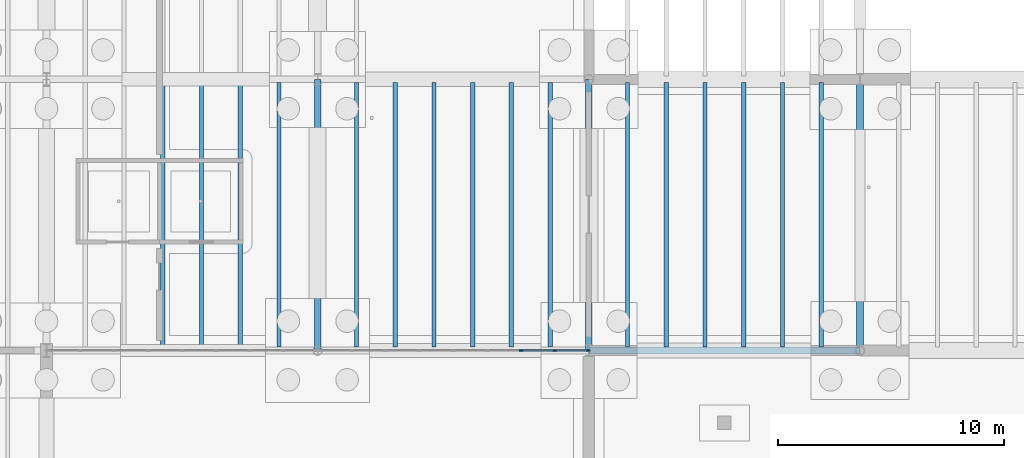
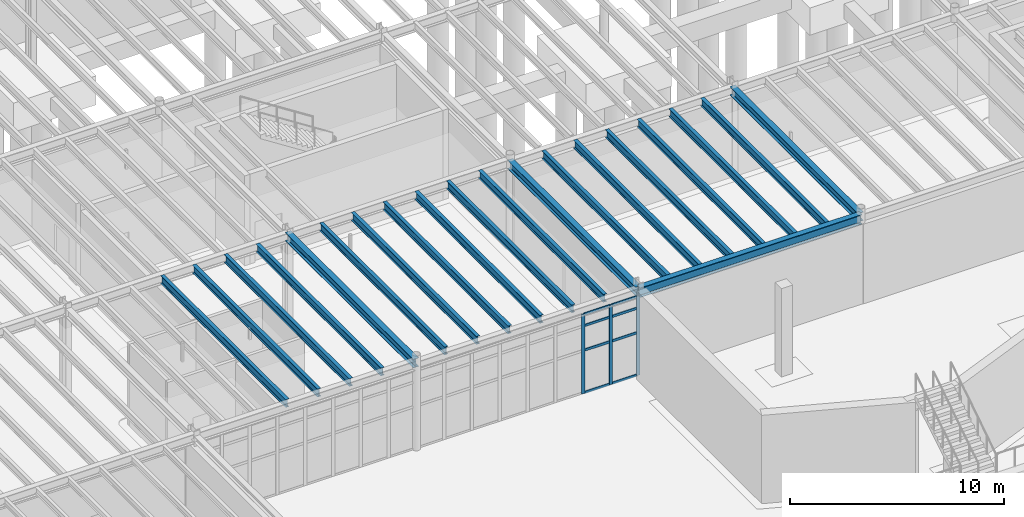
# One storey, part 25 of 67: 20 beams, 11 members, 1 element without a shape of its own.
"""IFC4 building model written with IfcOpenShell, lengths in metres."""

from ifc_helpers import new_model, si_unit, direction, frame, origin, origin_2d, place, context, subcontext, project, spatial, rectangle, i_section, extrude, material, layer, layer_set, material_profile, profile_set, type_object, element, aggregate, save


model = new_model("IFC4")

# Units and contexts
model_context = context("Model", 3, precision=1e-05, world=origin(), true_north=direction((0.0, 1.0)))
body_context = subcontext(model_context, "Body", "Model", "MODEL_VIEW")
ifc_project = project(units=[si_unit("LENGTHUNIT", "METRE"), si_unit("AREAUNIT", "SQUARE_METRE"), si_unit("VOLUMEUNIT", "CUBIC_METRE"), si_unit("PLANEANGLEUNIT", "RADIAN"), si_unit("MASSUNIT", "GRAM", prefix="KILO")], contexts=[model_context])

# Site, building, storey
site_placement = place(None, origin())
site = spatial("IfcSite", under=ifc_project, at=site_placement, CompositionType="ELEMENT")
building_placement = place(site_placement, origin())
building = spatial("IfcBuilding", under=site, at=building_placement, Name="Zlatogorsky Bluff Art Gallery", CompositionType="ELEMENT")
storey_placement = place(building_placement, frame((0.0, 0.0, -5.39990234375)))
storey = spatial("IfcBuildingStorey", under=building, at=storey_placement, Name="B1", CompositionType="ELEMENT", Elevation=-5.39990234375)

# Beams
ifc_material_1 = material(Name="Steel S355", Category="steel")
ifc_material_profile_1 = material_profile(ifc_material_1, i_section(OverallWidth=0.300048828125, OverallDepth=0.550048828125, WebThickness=0.014892578125, FlangeThickness=0.029052734375, FilletRadius=0.027099609375, at=origin_2d()), Name="HEB 550")
ifc_profile_set_1 = profile_set([ifc_material_profile_1], Name="Steel S355")
beam_type_1 = type_object("IfcBeamType", Name="Beam BM-01 HEB 550", PredefinedType="BEAM", material=ifc_profile_set_1)
beam_placement = place(storey_placement, frame((48.014892578125, 84.0, 4.764892578125), z_axis=(1.0, 0.0, 0.0), x_axis=(0.0, 1.0, 0.0)))
element("IfcBeam", 1, at=beam_placement, inside=storey, type_object=beam_type_1, Name="Primary girder BM-01 B1 E-F/9", PredefinedType="BEAM", context=body_context, shape_type="SweptSolid", body=[
    extrude(i_section(OverallWidth=0.300048828125, OverallDepth=0.550048828125, WebThickness=0.014892578125, FlangeThickness=0.029052734375, FilletRadius=0.027099609375, at=origin_2d()), origin(), (0.0, 0.0, 1.0), 11.97021484375),
])
ifc_material_profile_2 = material_profile(ifc_material_1, i_section(OverallWidth=0.300048828125, OverallDepth=0.489990234375, WebThickness=0.011962890625, FlangeThickness=0.02294921875, FilletRadius=0.027099609375, at=origin_2d()), Name="HEA 500")
ifc_profile_set_2 = profile_set([ifc_material_profile_2], Name="Steel S355")
beam_type_2 = type_object("IfcBeamType", Name="Beam BM-07 HEA 500", PredefinedType="BEAM", material=ifc_profile_set_2)
for number, where, z_axis, x_axis, name in (
    (2, (36.0, 84.014892578125, 4.875), (0.0, 1.0, 0.0), (-1.0, 0.0, 0.0), "Primary girder BM-07 B1 D/9-10"),
    (3, (48.0, 84.014892578125, 4.794921875), (0.0, 1.0, 0.0), (-1.0, 0.0, 0.0), "Primary girder BM-07 B1 E/9-10"),
    (4, (60.0, 84.014892578125, 4.794921875), (0.0, 1.0, 0.0), (-1.0, 0.0, 0.0), "Primary girder BM-07 B1 F/9-10"),
):
    element("IfcBeam", number, at=place(storey_placement, frame(where, z_axis=z_axis, x_axis=x_axis)), inside=storey, type_object=beam_type_2, Name=name, PredefinedType="BEAM", context=body_context, shape_type="SweptSolid", body=[
        extrude(i_section(OverallWidth=0.300048828125, OverallDepth=0.489990234375, WebThickness=0.011962890625, FlangeThickness=0.02294921875, FilletRadius=0.027099609375, at=origin_2d()), origin(), (0.0, 0.0, 1.0), 11.97021484375),
    ])
ifc_material_profile_3 = material_profile(ifc_material_1, i_section(OverallWidth=0.18994140625, OverallDepth=0.449951171875, WebThickness=0.009521484375, FlangeThickness=0.0146484375, FilletRadius=0.02099609375, at=origin_2d()), Name="IPE 450")
ifc_profile_set_3 = profile_set([ifc_material_profile_3], Name="Steel S355")
beam_type_3 = type_object("IfcBeamType", Name="Beam JS-06 IPE 450", PredefinedType="JOIST", material=ifc_profile_set_3)
for number, where, z_axis, x_axis, name in (
    (5, (29.142822265625, 84.14990234375, 4.89501953125), (0.0, 1.0, 0.0), (-1.0, 0.0, 0.0), "Composite floor joist JS-06 B1 02.08.3"),
    (6, (30.857177734375, 84.14990234375, 4.89501953125), (0.0, 1.0, 0.0), (-1.0, 0.0, 0.0), "Composite floor joist JS-06 B1 02.08.4"),
    (7, (32.571533203125, 84.14990234375, 4.89501953125), (0.0, 1.0, 0.0), (-1.0, 0.0, 0.0), "Composite floor joist JS-06 B1 02.08.5"),
    (8, (34.28564453125, 84.14990234375, 4.89501953125), (0.0, 1.0, 0.0), (-1.0, 0.0, 0.0), "Composite floor joist JS-06 B1 02.08.6"),
    (9, (37.71435546875, 84.14990234375, 4.89501953125), (0.0, 1.0, 0.0), (-1.0, 0.0, 0.0), "Composite floor joist JS-06 B1 03.08.1"),
    (10, (39.428466796875, 84.14990234375, 4.89501953125), (0.0, 1.0, 0.0), (-1.0, 0.0, 0.0), "Composite floor joist JS-06 B1 03.08.2"),
    (11, (41.142822265625, 84.14990234375, 4.89501953125), (0.0, 1.0, 0.0), (-1.0, 0.0, 0.0), "Composite floor joist JS-06 B1 03.08.3"),
    (12, (42.857177734375, 84.14990234375, 4.89501953125), (0.0, 1.0, 0.0), (-1.0, 0.0, 0.0), "Composite floor joist JS-06 B1 03.08.4"),
    (13, (44.571533203125, 84.14990234375, 4.89501953125), (0.0, 1.0, 0.0), (-1.0, 0.0, 0.0), "Composite floor joist JS-06 B1 03.08.5"),
    (14, (46.28564453125, 84.14990234375, 4.89501953125), (0.0, 1.0, 0.0), (-1.0, 0.0, 0.0), "Composite floor joist JS-06 B1 03.08.6"),
    (15, (49.71435546875, 84.14990234375, 4.81494140625), (0.0, 1.0, 0.0), (-1.0, 0.0, 0.0), "Composite floor joist JS-06 B1 04.08.1"),
    (16, (51.428466796875, 84.14990234375, 4.81494140625), (0.0, 1.0, 0.0), (-1.0, 0.0, 0.0), "Composite floor joist JS-06 B1 04.08.2"),
    (17, (53.142822265625, 84.14990234375, 4.81494140625), (0.0, 1.0, 0.0), (-1.0, 0.0, 0.0), "Composite floor joist JS-06 B1 04.08.3"),
    (18, (54.857177734375, 84.14990234375, 4.81494140625), (0.0, 1.0, 0.0), (-1.0, 0.0, 0.0), "Composite floor joist JS-06 B1 04.08.4"),
    (19, (56.571533203125, 84.14990234375, 4.81494140625), (0.0, 1.0, 0.0), (-1.0, 0.0, 0.0), "Composite floor joist JS-06 B1 04.08.5"),
    (20, (58.28564453125, 84.14990234375, 4.81494140625), (0.0, 1.0, 0.0), (-1.0, 0.0, 0.0), "Composite floor joist JS-06 B1 04.08.6"),
):
    element("IfcBeam", number, at=place(storey_placement, frame(where, z_axis=z_axis, x_axis=x_axis)), inside=storey, type_object=beam_type_3, Name=name, PredefinedType="JOIST", context=body_context, shape_type="SweptSolid", body=[
        extrude(i_section(OverallWidth=0.18994140625, OverallDepth=0.449951171875, WebThickness=0.009521484375, FlangeThickness=0.0146484375, FilletRadius=0.02099609375, at=origin_2d()), origin(), (0.0, 0.0, 1.0), 11.7001953125),
    ])

# Curtain wall, members
ifc_material_2 = material(Name="Anodised Bronze Aluminium and Low-Iron Triple Glazing", Category="aluminium")
ifc_layer = layer(ifc_material_2, 0.199951171875)
ifc_layer_set = layer_set([ifc_layer], Name="Curtain Wall CW-02")
curtain_wall_type = type_object("IfcCurtainWallType", Name="Curtain Wall CW-02", PredefinedType="USERDEFINED", material=ifc_layer_set)
curtain_wall_placement = place(storey_placement, origin())
curtain_wall = element("IfcCurtainWall", 21, at=curtain_wall_placement, inside=storey, type_object=curtain_wall_type, Name="Unitised curtain wall CW-02 B1 S 3.8", ObjectType="CURTAIN WALL", PredefinedType="USERDEFINED")
ifc_material_3 = material(Name="Anodised Bronze Aluminium", Category="aluminium")
ifc_material_profile_4 = material_profile(ifc_material_3, rectangle(XDim=0.06494140625, YDim=0.179931640625, at=origin_2d()), Name="ALU MULLION 65x180")
ifc_profile_set_4 = profile_set([ifc_material_profile_4], Name="Anodised Bronze Aluminium")
member_type_1 = type_object("IfcMemberType", Name="Curtain Mullion ML-01", PredefinedType="MULLION", material=ifc_profile_set_4)
member_1_placement = place(storey_placement, frame((45.0, 84.0, 0.0), z_axis=(0.0, 0.0, 1.0), x_axis=(0.0, 1.0, 0.0)))
member_1 = element("IfcMember", 22, at=member_1_placement, type_object=member_type_1, Name="CW-02 mullion 7", PredefinedType="MULLION", context=body_context, shape_type="SweptSolid", body=[
    extrude(rectangle(XDim=0.06494140625, YDim=0.179931640625, at=origin_2d()), origin(), (0.0, 0.0, 1.0), 4.539794921875),
])
member_2_placement = place(storey_placement, frame((46.5, 84.0, 0.0), z_axis=(0.0, 0.0, 1.0), x_axis=(0.0, 1.0, 0.0)))
member_2 = element("IfcMember", 23, at=member_2_placement, type_object=member_type_1, Name="CW-02 mullion 8", PredefinedType="MULLION", context=body_context, shape_type="SweptSolid", body=[
    extrude(rectangle(XDim=0.06494140625, YDim=0.179931640625, at=origin_2d()), origin(), (0.0, 0.0, 1.0), 4.539794921875),
])
member_3_placement = place(storey_placement, frame((47.967529296875, 84.0, 0.0), z_axis=(0.0, 0.0, 1.0), x_axis=(0.0, 1.0, 0.0)))
member_3 = element("IfcMember", 24, at=member_3_placement, type_object=member_type_1, Name="CW-02 mullion 9", PredefinedType="MULLION", context=body_context, shape_type="SweptSolid", body=[
    extrude(rectangle(XDim=0.06494140625, YDim=0.179931640625, at=origin_2d()), origin(), (0.0, 0.0, 1.0), 4.539794921875),
])
ifc_material_profile_5 = material_profile(ifc_material_3, rectangle(XDim=0.06494140625, YDim=0.139892578125, at=origin_2d()), Name="ALU TRANSOM 65x140")
ifc_profile_set_5 = profile_set([ifc_material_profile_5], Name="Anodised Bronze Aluminium")
member_type_2 = type_object("IfcMemberType", Name="Curtain Transom TR-01", PredefinedType="USERDEFINED", material=ifc_profile_set_5)
member_4_placement = place(storey_placement, frame((45.032470703125, 84.0, 0.032470703125), z_axis=(1.0, 0.0, 0.0), x_axis=(0.0, 1.0, 0.0)))
member_4 = element("IfcMember", 25, at=member_4_placement, type_object=member_type_2, Name="CW-02 transom 7.1", ObjectType="TRANSOM", PredefinedType="USERDEFINED", context=body_context, shape_type="SweptSolid", body=[
    extrude(rectangle(XDim=0.06494140625, YDim=0.139892578125, at=origin_2d()), origin(), (0.0, 0.0, 1.0), 1.43505859375),
])
member_5_placement = place(storey_placement, frame((45.032470703125, 84.0, 2.449951171875), z_axis=(1.0, 0.0, 0.0), x_axis=(0.0, 1.0, 0.0)))
member_5 = element("IfcMember", 26, at=member_5_placement, type_object=member_type_2, Name="CW-02 transom 7.2", ObjectType="TRANSOM", PredefinedType="USERDEFINED", context=body_context, shape_type="SweptSolid", body=[
    extrude(rectangle(XDim=0.06494140625, YDim=0.139892578125, at=origin_2d()), origin(), (0.0, 0.0, 1.0), 1.43505859375),
])
member_6_placement = place(storey_placement, frame((45.032470703125, 84.0, 3.849853515625), z_axis=(1.0, 0.0, 0.0), x_axis=(0.0, 1.0, 0.0)))
member_6 = element("IfcMember", 27, at=member_6_placement, type_object=member_type_2, Name="CW-02 transom 7.3", ObjectType="TRANSOM", PredefinedType="USERDEFINED", context=body_context, shape_type="SweptSolid", body=[
    extrude(rectangle(XDim=0.06494140625, YDim=0.139892578125, at=origin_2d()), origin(), (0.0, 0.0, 1.0), 1.43505859375),
])
member_7_placement = place(storey_placement, frame((45.032470703125, 84.0, 4.50732421875), z_axis=(1.0, 0.0, 0.0), x_axis=(0.0, 1.0, 0.0)))
member_7 = element("IfcMember", 28, at=member_7_placement, type_object=member_type_2, Name="CW-02 transom 7.4", ObjectType="TRANSOM", PredefinedType="USERDEFINED", context=body_context, shape_type="SweptSolid", body=[
    extrude(rectangle(XDim=0.06494140625, YDim=0.139892578125, at=origin_2d()), origin(), (0.0, 0.0, 1.0), 1.43505859375),
])
member_8_placement = place(storey_placement, frame((46.532470703125, 84.0, 0.032470703125), z_axis=(1.0, 0.0, 0.0), x_axis=(0.0, 1.0, 0.0)))
member_8 = element("IfcMember", 29, at=member_8_placement, type_object=member_type_2, Name="CW-02 transom 8.1", ObjectType="TRANSOM", PredefinedType="USERDEFINED", context=body_context, shape_type="SweptSolid", body=[
    extrude(rectangle(XDim=0.06494140625, YDim=0.139892578125, at=origin_2d()), origin(), (0.0, 0.0, 1.0), 1.402587890625),
])
member_9_placement = place(storey_placement, frame((46.532470703125, 84.0, 2.449951171875), z_axis=(1.0, 0.0, 0.0), x_axis=(0.0, 1.0, 0.0)))
member_9 = element("IfcMember", 30, at=member_9_placement, type_object=member_type_2, Name="CW-02 transom 8.2", ObjectType="TRANSOM", PredefinedType="USERDEFINED", context=body_context, shape_type="SweptSolid", body=[
    extrude(rectangle(XDim=0.06494140625, YDim=0.139892578125, at=origin_2d()), origin(), (0.0, 0.0, 1.0), 1.402587890625),
])
member_10_placement = place(storey_placement, frame((46.532470703125, 84.0, 3.849853515625), z_axis=(1.0, 0.0, 0.0), x_axis=(0.0, 1.0, 0.0)))
member_10 = element("IfcMember", 31, at=member_10_placement, type_object=member_type_2, Name="CW-02 transom 8.3", ObjectType="TRANSOM", PredefinedType="USERDEFINED", context=body_context, shape_type="SweptSolid", body=[
    extrude(rectangle(XDim=0.06494140625, YDim=0.139892578125, at=origin_2d()), origin(), (0.0, 0.0, 1.0), 1.402587890625),
])
member_11_placement = place(storey_placement, frame((46.532470703125, 84.0, 4.50732421875), z_axis=(1.0, 0.0, 0.0), x_axis=(0.0, 1.0, 0.0)))
member_11 = element("IfcMember", 32, at=member_11_placement, type_object=member_type_2, Name="CW-02 transom 8.4", ObjectType="TRANSOM", PredefinedType="USERDEFINED", context=body_context, shape_type="SweptSolid", body=[
    extrude(rectangle(XDim=0.06494140625, YDim=0.139892578125, at=origin_2d()), origin(), (0.0, 0.0, 1.0), 1.402587890625),
])
aggregate(curtain_wall, [member_1, member_2, member_3, member_4, member_5, member_6, member_7, member_8, member_9, member_10, member_11])

save(model, "model.ifc")
